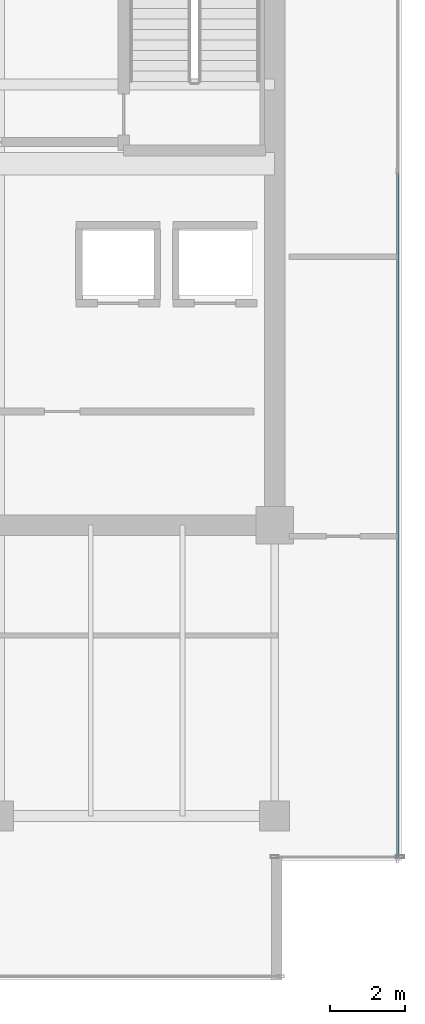
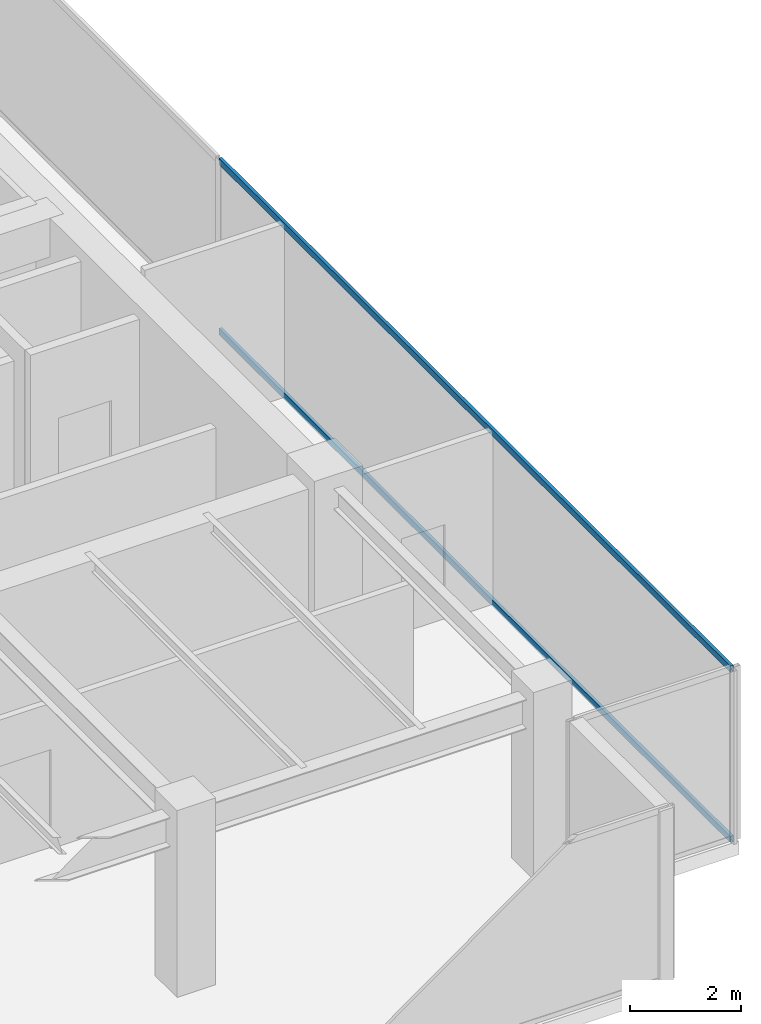
# One storey, part 23 of 33: 2 members, 1 element without a shape of its own.
"""IFC4 building model written with IfcOpenShell, lengths in metres."""

from ifc_helpers import new_model, si_unit, direction, frame, origin, origin_2d, place, context, subcontext, project, spatial, hollow_rectangle, extrude, source, transform, mapped, material, layer, layer_set, material_profile, profile_set, type_object, type_shapes, element, aggregate, save


model = new_model("IFC4")

# Units and contexts
model_context = context("Model", 3, precision=1e-05, world=origin(), true_north=direction((0.0, 1.0)))
body_context = subcontext(model_context, "Body", "Model", "MODEL_VIEW")
ifc_project = project(units=[si_unit("LENGTHUNIT", "METRE"), si_unit("AREAUNIT", "SQUARE_METRE"), si_unit("VOLUMEUNIT", "CUBIC_METRE"), si_unit("PLANEANGLEUNIT", "RADIAN"), si_unit("MASSUNIT", "GRAM", prefix="KILO")], contexts=[model_context])

# Site, building, storey
site_placement = place(None, origin())
site = spatial("IfcSite", under=ifc_project, at=site_placement, CompositionType="ELEMENT")
building_placement = place(site_placement, origin())
building = spatial("IfcBuilding", under=site, at=building_placement, Name="Haelvirn Gate Laboratories", CompositionType="ELEMENT")
storey_placement = place(building_placement, frame((0.0, 0.0, 267.0)))
storey = spatial("IfcBuildingStorey", under=building, at=storey_placement, Name="L64", CompositionType="ELEMENT", Elevation=267.0)

# Curtain wall, members
ifc_material_1 = material(Name="Anodised bronze unitised aluminium & triple low-E glass", Category="aluminium")
ifc_layer = layer(ifc_material_1, 0.176025390625, Name="CW-SYS-4")
ifc_layer_set = layer_set([ifc_layer], Name="Anodised bronze unitised aluminium & triple low-E glass")
curtain_wall_type = type_object("IfcCurtainWallType", Name="CW-SYS-4", PredefinedType="NOTDEFINED", material=ifc_layer_set)
curtain_wall_placement = place(storey_placement, origin())
curtain_wall = element("IfcCurtainWall", 1, at=curtain_wall_placement, inside=storey, type_object=curtain_wall_type, Name="L64 Unitised Curtain Wall CW-L64-P0-E07", PredefinedType="NOTDEFINED")
ifc_material_2 = material(Name="Extruded aluminium 6063-T6 (anodised bronze)", Category="aluminium")
ifc_material_profile = material_profile(ifc_material_2, hollow_rectangle(XDim=0.06494140625, YDim=0.139892578125, WallThickness=0.00390625, at=origin_2d()), Name="CWT-140x65x4")
ifc_profile_set = profile_set([ifc_material_profile], Name="Extruded aluminium 6063-T6 (anodised bronze)")
member_type = type_object("IfcMemberType", Name="CWT-T140", PredefinedType="USERDEFINED", material=ifc_profile_set)
shared_shape = source(origin(), body_context, "Body", "SweptSolid", [
    extrude(hollow_rectangle(XDim=0.06494140625, YDim=0.139892578125, WallThickness=0.00390625, at=origin_2d()), origin(), (0.0, 0.0, 1.0), 18.394775390625),
])
type_shapes(member_type, [shared_shape])
member_1_placement = place(storey_placement, frame((70.699951171875, 5.8701171875, 0.032470703125), z_axis=(0.0, 1.0, 0.0), x_axis=(-1.0, 0.0, 0.0)))
member_1 = element("IfcMember", 2, at=member_1_placement, type_object=member_type, Name="CW4 transom 1.1", ObjectType="TRANSOM", PredefinedType="USERDEFINED", context=body_context, shape_type="MappedRepresentation", body=[
    mapped(shared_shape, transform((0.0, 0.0, 0.0), scale=1.0)),
])
member_2_placement = place(storey_placement, frame((70.699951171875, 5.8701171875, 3.767578125), z_axis=(0.0, 1.0, 0.0), x_axis=(-1.0, 0.0, 0.0)))
member_2 = element("IfcMember", 3, at=member_2_placement, type_object=member_type, Name="CW4 transom 1.2", ObjectType="TRANSOM", PredefinedType="USERDEFINED", context=body_context, shape_type="MappedRepresentation", body=[
    mapped(shared_shape, transform((0.0, 0.0, 0.0), scale=1.0)),
])
aggregate(curtain_wall, [member_1, member_2])

save(model, "model.ifc")
